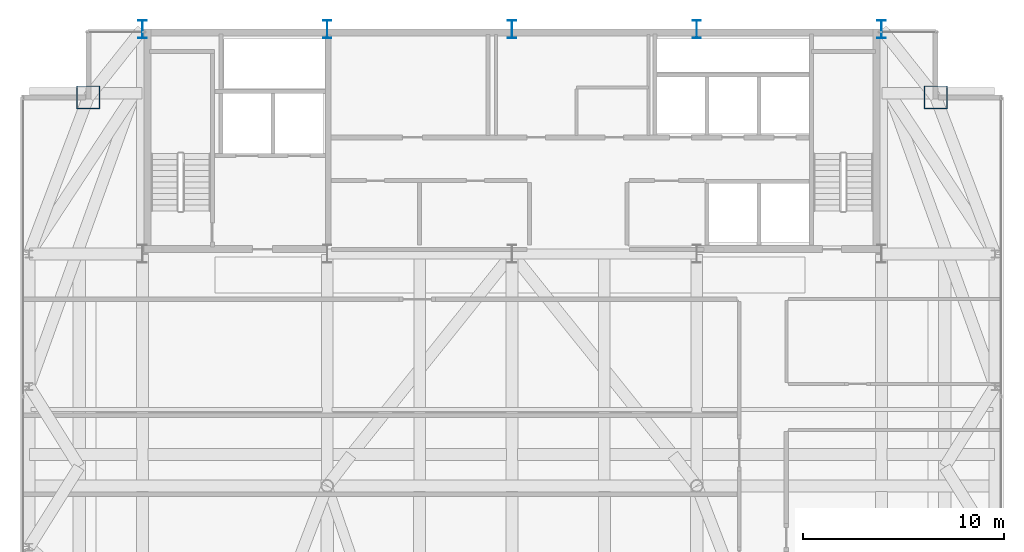
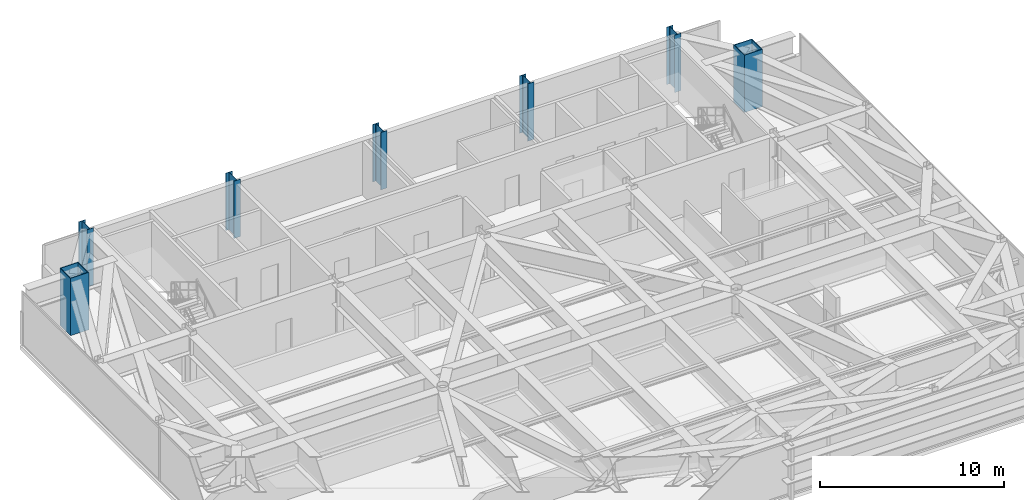
# One storey, part 3 of 23: 7 columns.
"""IFC4 building model written with IfcOpenShell, lengths in metres."""

from ifc_helpers import new_model, si_unit, direction, frame, origin, origin_2d, place, context, subcontext, project, spatial, hollow_rectangle, i_section, extrude, source, transform, mapped, material, material_profile, profile_set, type_object, type_shapes, element, save


model = new_model("IFC4")

# Units and contexts
model_context = context("Model", 3, precision=1e-05, world=origin(), true_north=direction((0.0, 1.0)))
body_context = subcontext(model_context, "Body", "Model", "MODEL_VIEW")
ifc_project = project(units=[si_unit("LENGTHUNIT", "METRE"), si_unit("AREAUNIT", "SQUARE_METRE"), si_unit("VOLUMEUNIT", "CUBIC_METRE"), si_unit("PLANEANGLEUNIT", "RADIAN"), si_unit("MASSUNIT", "GRAM", prefix="KILO")], contexts=[model_context])

# Site, building, storey
site_placement = place(None, origin())
site = spatial("IfcSite", under=ifc_project, at=site_placement, CompositionType="ELEMENT")
building_placement = place(site_placement, origin())
building = spatial("IfcBuilding", under=site, at=building_placement, Name="Varnel Quay Broadcast Tower", CompositionType="ELEMENT")
storey_placement = place(building_placement, frame((0.0, 0.0, 254.60009765625)))
storey = spatial("IfcBuildingStorey", under=building, at=storey_placement, Name="L63", CompositionType="ELEMENT", Elevation=254.60009765625)

# Columns
ifc_material = material(Name="Structural Steel CSA G40.21 350WT", Category="steel")
ifc_material_profile_1 = material_profile(ifc_material, i_section(OverallWidth=0.39990234375, OverallDepth=0.89990234375, WebThickness=0.01611328125, FlangeThickness=0.028076171875, FilletRadius=0.01611328125, at=origin_2d()), Name="WWF900X309")
ifc_profile_set_1 = profile_set([ifc_material_profile_1], Name="Structural Steel CSA G40.21 350WT")
column_type_1 = type_object("IfcColumnType", Name="Col_WWF900X309", PredefinedType="COLUMN", material=ifc_profile_set_1)
shared_shape_1 = source(origin(), body_context, "Body", "SweptSolid", [
    extrude(i_section(OverallWidth=0.39990234375, OverallDepth=0.89990234375, WebThickness=0.01611328125, FlangeThickness=0.028076171875, FilletRadius=0.01611328125, at=origin_2d()), origin(), (0.0, 0.0, 1.0), 3.7998046875),
])
type_shapes(column_type_1, [shared_shape_1])
for number, where, z_axis, x_axis, name in (
    (1, (15.60009765625, 46.800048828125, 0.0), (0.0, 0.0, 1.0), (1.0, 0.0, 0.0), "L63 Column CC-N1"),
    (2, (24.800048828125, 46.800048828125, 0.0), (0.0, 0.0, 1.0), (1.0, 0.0, 0.0), "L63 Column CC-N2"),
    (3, (34.0, 46.800048828125, 0.0), (0.0, 0.0, 1.0), (1.0, 0.0, 0.0), "L63 Column CC-N3"),
    (4, (43.199951171875, 46.800048828125, 0.0), (0.0, 0.0, 1.0), (1.0, 0.0, 0.0), "L63 Column CC-N4"),
    (5, (52.39990234375, 46.800048828125, 0.0), (0.0, 0.0, 1.0), (1.0, 0.0, 0.0), "L63 Column CC-N5"),
):
    element("IfcColumn", number, at=place(storey_placement, frame(where, z_axis=z_axis, x_axis=x_axis)), inside=storey, type_object=column_type_1, Name=name, PredefinedType="COLUMN", context=body_context, shape_type="MappedRepresentation", body=[
        mapped(shared_shape_1, transform((0.0, 0.0, 0.0), x_axis=(1.0, 0.0, 0.0), y_axis=(0.0, 1.0, 0.0), z_axis=(0.0, 0.0, 1.0), scale=1.0)),
    ])
ifc_material_profile_2 = material_profile(ifc_material, hollow_rectangle(XDim=1.14990234375, YDim=1.14990234375, WallThickness=0.044921875, at=origin_2d()), Name="BOX1150X1150X45")
ifc_profile_set_2 = profile_set([ifc_material_profile_2], Name="Structural Steel CSA G40.21 350WT")
column_type_2 = type_object("IfcColumnType", Name="Col_BOX1150X1150X45", PredefinedType="COLUMN", material=ifc_profile_set_2)
shared_shape_2 = source(origin(), body_context, "Body", "SweptSolid", [
    extrude(hollow_rectangle(XDim=1.14990234375, YDim=1.14990234375, WallThickness=0.044921875, at=origin_2d()), origin(), (0.0, 0.0, 1.0), 3.7998046875),
])
type_shapes(column_type_2, [shared_shape_2])
for number, where, z_axis, x_axis, name in (
    (6, (55.10009765625, 43.39990234375, 0.0), (0.0, 0.0, 1.0), (1.0, 0.0, 0.0), "L63 Column MC-NE"),
    (7, (12.89990234375, 43.39990234375, 0.0), (0.0, 0.0, 1.0), (1.0, 0.0, 0.0), "L63 Column MC-NW"),
):
    element("IfcColumn", number, at=place(storey_placement, frame(where, z_axis=z_axis, x_axis=x_axis)), inside=storey, type_object=column_type_2, Name=name, PredefinedType="COLUMN", context=body_context, shape_type="MappedRepresentation", body=[
        mapped(shared_shape_2, transform((0.0, 0.0, 0.0), x_axis=(1.0, 0.0, 0.0), y_axis=(0.0, 1.0, 0.0), z_axis=(0.0, 0.0, 1.0), scale=1.0)),
    ])

save(model, "model.ifc")
